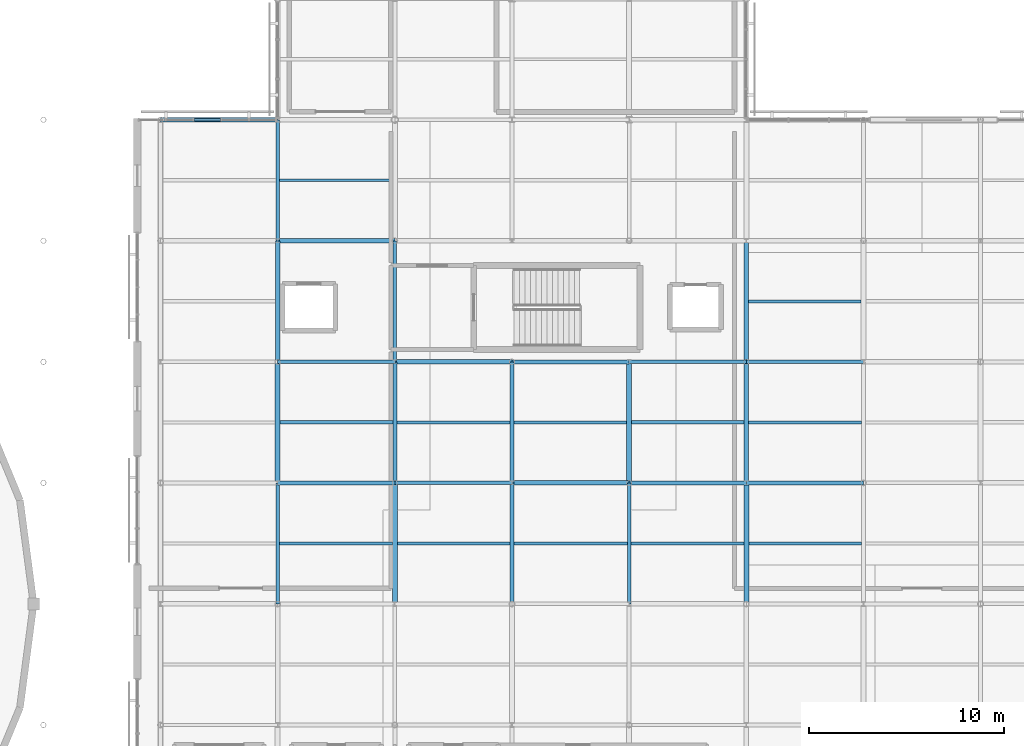
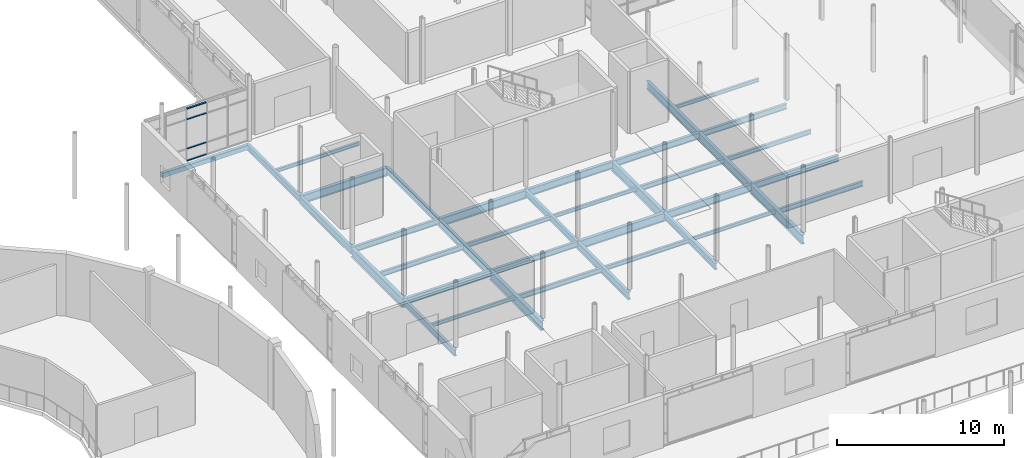
# One storey, part 29 of 66: 38 beams, 4 members, 1 element without a shape of its own.
"""IFC4 building model written with IfcOpenShell, lengths in metres."""

from ifc_helpers import new_model, si_unit, direction, frame, origin, origin_2d, place, context, subcontext, project, spatial, rectangle, hollow_rectangle, i_section, extrude, material, layer, layer_set, material_profile, profile_set, type_object, element, aggregate, save


model = new_model("IFC4")

# Units and contexts
model_context = context("Model", 3, precision=1e-05, world=origin(), true_north=direction((0.0, 1.0)))
body_context = subcontext(model_context, "Body", "Model", "MODEL_VIEW")
ifc_project = project(units=[si_unit("LENGTHUNIT", "METRE"), si_unit("AREAUNIT", "SQUARE_METRE"), si_unit("VOLUMEUNIT", "CUBIC_METRE"), si_unit("PLANEANGLEUNIT", "RADIAN"), si_unit("MASSUNIT", "GRAM", prefix="KILO")], contexts=[model_context])

# Site, building, storey
site_placement = place(None, origin())
site = spatial("IfcSite", under=ifc_project, at=site_placement, CompositionType="ELEMENT")
building_placement = place(site_placement, origin())
building = spatial("IfcBuilding", under=site, at=building_placement, Name="Mirzam Square Science Centre", CompositionType="ELEMENT")
storey_placement = place(building_placement, frame((0.0, 0.0, 15.60009765625)))
storey = spatial("IfcBuildingStorey", under=building, at=storey_placement, Name="L03", CompositionType="ELEMENT", Elevation=15.60009765625)

# Beams
ifc_material_1 = material(Name="Steel S355", Category="steel")
ifc_material_profile_1 = material_profile(ifc_material_1, i_section(OverallWidth=0.1787109375, OverallDepth=0.409423828125, WebThickness=0.0087890625, FlangeThickness=0.014404296875, FilletRadius=0.01025390625, at=origin_2d()), Name="406x178x67UB")
ifc_profile_set_1 = profile_set([ifc_material_profile_1], Name="Steel S355")
beam_type_1 = type_object("IfcBeamType", Name="BM-UB406", PredefinedType="BEAM", material=ifc_profile_set_1)
for number, where, z_axis, x_axis, name in (
    (1, (120.0, 68.199951171875, -0.454833984375), (1.0, 0.0, 0.0), (0.0, 1.0, 0.0), "L03 girder X21-12"),
    (2, (114.0, 74.39990234375, -0.454833984375), (1.0, 0.0, 0.0), (0.0, 1.0, 0.0), "L03 girder X20-13"),
    (3, (138.0, 74.39990234375, -0.454833984375), (1.0, 0.0, 0.0), (0.0, 1.0, 0.0), "L03 girder X24-13"),
):
    element("IfcBeam", number, at=place(storey_placement, frame(where, z_axis=z_axis, x_axis=x_axis)), inside=storey, type_object=beam_type_1, Name=name, PredefinedType="BEAM", context=body_context, shape_type="SweptSolid", body=[
        extrude(i_section(OverallWidth=0.1787109375, OverallDepth=0.409423828125, WebThickness=0.0087890625, FlangeThickness=0.014404296875, FilletRadius=0.01025390625, at=origin_2d()), origin(), (0.0, 0.0, 1.0), 6.0),
    ])
ifc_material_profile_2 = material_profile(ifc_material_1, i_section(OverallWidth=0.19140625, OverallDepth=0.4599609375, WebThickness=0.010009765625, FlangeThickness=0.01611328125, FilletRadius=0.01025390625, at=origin_2d()), Name="457x191x82UB")
ifc_profile_set_2 = profile_set([ifc_material_profile_2], Name="Steel S355")
beam_type_2 = type_object("IfcBeamType", Name="BM-UB457", PredefinedType="BEAM", material=ifc_profile_set_2)
for number, where, z_axis, x_axis, name in (
    (4, (114.0, 68.199951171875, -0.47998046875), (1.0, 0.0, 0.0), (0.0, 1.0, 0.0), "L03 girder X20-12"),
    (5, (138.0, 68.199951171875, -0.47998046875), (1.0, 0.0, 0.0), (0.0, 1.0, 0.0), "L03 girder X24-12"),
    (6, (132.0, 74.39990234375, -0.47998046875), (1.0, 0.0, 0.0), (0.0, 1.0, 0.0), "L03 girder X23-13"),
):
    element("IfcBeam", number, at=place(storey_placement, frame(where, z_axis=z_axis, x_axis=x_axis)), inside=storey, type_object=beam_type_2, Name=name, PredefinedType="BEAM", context=body_context, shape_type="SweptSolid", body=[
        extrude(i_section(OverallWidth=0.19140625, OverallDepth=0.4599609375, WebThickness=0.010009765625, FlangeThickness=0.01611328125, FilletRadius=0.01025390625, at=origin_2d()), origin(), (0.0, 0.0, 1.0), 6.0),
    ])
for number, where, z_axis, x_axis, name in (
    (7, (114.0, 62.0, -0.47998046875), (0.0, 1.0, 0.0), (-1.0, 0.0, 0.0), "L03 girder Y20-11"),
    (8, (114.0, 80.60009765625, -0.47998046875), (0.0, 1.0, 0.0), (-1.0, 0.0, 0.0), "L03 girder Y20-14"),
):
    element("IfcBeam", number, at=place(storey_placement, frame(where, z_axis=z_axis, x_axis=x_axis)), inside=storey, type_object=beam_type_2, Name=name, PredefinedType="BEAM", context=body_context, shape_type="SweptSolid", body=[
        extrude(i_section(OverallWidth=0.19140625, OverallDepth=0.4599609375, WebThickness=0.010009765625, FlangeThickness=0.01611328125, FilletRadius=0.01025390625, at=origin_2d()), origin(), (0.0, 0.0, 1.0), 6.199951171875),
    ])
beam_1_placement = place(storey_placement, frame((120.0, 74.39990234375, -0.47998046875), z_axis=(0.0, 1.0, 0.0), x_axis=(-1.0, 0.0, 0.0)))
element("IfcBeam", 9, at=beam_1_placement, inside=storey, type_object=beam_type_2, Name="L03 girder Y21-13", PredefinedType="BEAM", context=body_context, shape_type="SweptSolid", body=[
    extrude(i_section(OverallWidth=0.19140625, OverallDepth=0.4599609375, WebThickness=0.010009765625, FlangeThickness=0.01611328125, FilletRadius=0.01025390625, at=origin_2d()), origin(), (0.0, 0.0, 1.0), 6.2001953125),
])
for number, where, z_axis, x_axis, name in (
    (10, (126.0, 68.199951171875, -0.47998046875), (0.0, 1.0, 0.0), (-1.0, 0.0, 0.0), "L03 girder Y22-12"),
    (11, (132.0, 62.0, -0.47998046875), (0.0, 1.0, 0.0), (-1.0, 0.0, 0.0), "L03 girder Y23-11"),
):
    element("IfcBeam", number, at=place(storey_placement, frame(where, z_axis=z_axis, x_axis=x_axis)), inside=storey, type_object=beam_type_2, Name=name, PredefinedType="BEAM", context=body_context, shape_type="SweptSolid", body=[
        extrude(i_section(OverallWidth=0.19140625, OverallDepth=0.4599609375, WebThickness=0.010009765625, FlangeThickness=0.01611328125, FilletRadius=0.01025390625, at=origin_2d()), origin(), (0.0, 0.0, 1.0), 6.199951171875),
    ])
ifc_material_profile_3 = material_profile(ifc_material_1, i_section(OverallWidth=0.2099609375, OverallDepth=0.53662109375, WebThickness=0.0107421875, FlangeThickness=0.017333984375, FilletRadius=0.0126953125, at=origin_2d()), Name="533x210x101UB")
ifc_profile_set_3 = profile_set([ifc_material_profile_3], Name="Steel S355")
beam_type_3 = type_object("IfcBeamType", Name="BM-UB533", PredefinedType="BEAM", material=ifc_profile_set_3)
for number, where, z_axis, x_axis, name in (
    (12, (132.0, 68.199951171875, -0.5185546875), (1.0, 0.0, 0.0), (0.0, 1.0, 0.0), "L03 girder X23-12"),
    (13, (126.0, 74.39990234375, -0.5185546875), (1.0, 0.0, 0.0), (0.0, 1.0, 0.0), "L03 girder X22-13"),
):
    element("IfcBeam", number, at=place(storey_placement, frame(where, z_axis=z_axis, x_axis=x_axis)), inside=storey, type_object=beam_type_3, Name=name, PredefinedType="BEAM", context=body_context, shape_type="SweptSolid", body=[
        extrude(i_section(OverallWidth=0.2099609375, OverallDepth=0.53662109375, WebThickness=0.0107421875, FlangeThickness=0.017333984375, FilletRadius=0.0126953125, at=origin_2d()), origin(), (0.0, 0.0, 1.0), 6.0),
    ])
beam_2_placement = place(storey_placement, frame((114.0, 74.39990234375, -0.5185546875), z_axis=(0.0, 1.0, 0.0), x_axis=(-1.0, 0.0, 0.0)))
element("IfcBeam", 14, at=beam_2_placement, inside=storey, type_object=beam_type_3, Name="L03 girder Y20-13", PredefinedType="BEAM", context=body_context, shape_type="SweptSolid", body=[
    extrude(i_section(OverallWidth=0.2099609375, OverallDepth=0.53662109375, WebThickness=0.0107421875, FlangeThickness=0.017333984375, FilletRadius=0.0126953125, at=origin_2d()), origin(), (0.0, 0.0, 1.0), 6.2001953125),
])
for number, where, z_axis, x_axis, name in (
    (15, (120.0, 68.199951171875, -0.5185546875), (0.0, 1.0, 0.0), (-1.0, 0.0, 0.0), "L03 girder Y21-12"),
    (16, (126.0, 62.0, -0.5185546875), (0.0, 1.0, 0.0), (-1.0, 0.0, 0.0), "L03 girder Y22-11"),
):
    element("IfcBeam", number, at=place(storey_placement, frame(where, z_axis=z_axis, x_axis=x_axis)), inside=storey, type_object=beam_type_3, Name=name, PredefinedType="BEAM", context=body_context, shape_type="SweptSolid", body=[
        extrude(i_section(OverallWidth=0.2099609375, OverallDepth=0.53662109375, WebThickness=0.0107421875, FlangeThickness=0.017333984375, FilletRadius=0.0126953125, at=origin_2d()), origin(), (0.0, 0.0, 1.0), 6.199951171875),
    ])
ifc_material_profile_4 = material_profile(ifc_material_1, i_section(OverallWidth=0.22900390625, OverallDepth=0.6123046875, WebThickness=0.011962890625, FlangeThickness=0.01953125, FilletRadius=0.0126953125, at=origin_2d()), Name="610x229x125UB")
ifc_profile_set_4 = profile_set([ifc_material_profile_4], Name="Steel S355")
beam_type_4 = type_object("IfcBeamType", Name="BM-UB610", PredefinedType="BEAM", material=ifc_profile_set_4)
for number, where, z_axis, x_axis, name in (
    (17, (126.0, 68.199951171875, -0.55615234375), (1.0, 0.0, 0.0), (0.0, 1.0, 0.0), "L03 girder X22-12"),
    (18, (120.0, 74.39990234375, -0.55615234375), (1.0, 0.0, 0.0), (0.0, 1.0, 0.0), "L03 girder X21-13"),
    (19, (114.0, 80.60009765625, -0.55615234375), (1.0, 0.0, 0.0), (0.0, 1.0, 0.0), "L03 girder X20-14"),
):
    element("IfcBeam", number, at=place(storey_placement, frame(where, z_axis=z_axis, x_axis=x_axis)), inside=storey, type_object=beam_type_4, Name=name, PredefinedType="BEAM", context=body_context, shape_type="SweptSolid", body=[
        extrude(i_section(OverallWidth=0.22900390625, OverallDepth=0.6123046875, WebThickness=0.011962890625, FlangeThickness=0.01953125, FilletRadius=0.0126953125, at=origin_2d()), origin(), (0.0, 0.0, 1.0), 6.0),
    ])
beam_3_placement = place(storey_placement, frame((138.0, 68.199951171875, -0.55615234375), z_axis=(0.0, 1.0, 0.0), x_axis=(-1.0, 0.0, 0.0)))
element("IfcBeam", 20, at=beam_3_placement, inside=storey, type_object=beam_type_4, Name="L03 girder Y24-12", PredefinedType="BEAM", context=body_context, shape_type="SweptSolid", body=[
    extrude(i_section(OverallWidth=0.22900390625, OverallDepth=0.6123046875, WebThickness=0.011962890625, FlangeThickness=0.01953125, FilletRadius=0.0126953125, at=origin_2d()), origin(), (0.0, 0.0, 1.0), 6.199951171875),
])
beam_4_placement = place(storey_placement, frame((138.0, 74.39990234375, -0.55615234375), z_axis=(0.0, 1.0, 0.0), x_axis=(-1.0, 0.0, 0.0)))
element("IfcBeam", 21, at=beam_4_placement, inside=storey, type_object=beam_type_4, Name="L03 girder Y24-13", PredefinedType="BEAM", context=body_context, shape_type="SweptSolid", body=[
    extrude(i_section(OverallWidth=0.22900390625, OverallDepth=0.6123046875, WebThickness=0.011962890625, FlangeThickness=0.01953125, FilletRadius=0.0126953125, at=origin_2d()), origin(), (0.0, 0.0, 1.0), 6.2001953125),
])
ifc_material_profile_5 = material_profile(ifc_material_1, i_section(OverallWidth=0.25439453125, OverallDepth=0.6875, WebThickness=0.01318359375, FlangeThickness=0.02099609375, FilletRadius=0.01513671875, at=origin_2d()), Name="686x254x152UB")
ifc_profile_set_5 = profile_set([ifc_material_profile_5], Name="Steel S355")
beam_type_5 = type_object("IfcBeamType", Name="BM-UB686", PredefinedType="BEAM", material=ifc_profile_set_5)
for number, where, z_axis, x_axis, name in (
    (22, (114.0, 68.199951171875, -0.593994140625), (0.0, 1.0, 0.0), (-1.0, 0.0, 0.0), "L03 girder Y20-12"),
    (23, (120.0, 62.0, -0.593994140625), (0.0, 1.0, 0.0), (-1.0, 0.0, 0.0), "L03 girder Y21-11"),
    (24, (132.0, 68.199951171875, -0.593994140625), (0.0, 1.0, 0.0), (-1.0, 0.0, 0.0), "L03 girder Y23-12"),
    (25, (138.0, 62.0, -0.593994140625), (0.0, 1.0, 0.0), (-1.0, 0.0, 0.0), "L03 girder Y24-11"),
):
    element("IfcBeam", number, at=place(storey_placement, frame(where, z_axis=z_axis, x_axis=x_axis)), inside=storey, type_object=beam_type_5, Name=name, PredefinedType="BEAM", context=body_context, shape_type="SweptSolid", body=[
        extrude(i_section(OverallWidth=0.25439453125, OverallDepth=0.6875, WebThickness=0.01318359375, FlangeThickness=0.02099609375, FilletRadius=0.01513671875, at=origin_2d()), origin(), (0.0, 0.0, 1.0), 6.199951171875),
    ])

# Curtain wall, members
ifc_material_2 = material(Name="Anodised Aluminium and Low-E Solar Glass", Category="aluminium")
ifc_layer = layer(ifc_material_2, 0.159912109375)
ifc_layer_set = layer_set([ifc_layer], Name="CW-COURT-B")
curtain_wall_type = type_object("IfcCurtainWallType", Name="CW-COURT-B", PredefinedType="USERDEFINED", material=ifc_layer_set)
curtain_wall_placement = place(storey_placement, origin())
curtain_wall = element("IfcCurtainWall", 26, at=curtain_wall_placement, inside=storey, type_object=curtain_wall_type, Name="L03 unitised curtain wall 132", ObjectType="UNITISED CURTAIN WALL", PredefinedType="USERDEFINED")
ifc_material_3 = material(Name="Anodised Architectural Aluminium 6063-T6", Category="aluminium")
ifc_material_profile_6 = material_profile(ifc_material_3, rectangle(XDim=0.1201171875, YDim=0.06005859375, at=origin_2d()), Name="ALU-TRAN-120x60x4")
ifc_profile_set_6 = profile_set([ifc_material_profile_6], Name="Anodised Architectural Aluminium 6063-T6")
member_type = type_object("IfcMemberType", Name="CWT-120", PredefinedType="USERDEFINED", material=ifc_profile_set_6)
member_1_placement = place(storey_placement, frame((111.0791015625, 86.800048828125, 0.02978515625), z_axis=(-1.0, 0.0, 0.0), x_axis=(0.0, -1.0, 0.0)))
member_1 = element("IfcMember", 27, at=member_1_placement, type_object=member_type, Name="CW-04 transom 3.1", ObjectType="TRANSOM", PredefinedType="USERDEFINED", context=body_context, shape_type="SweptSolid", body=[
    extrude(rectangle(XDim=0.1201171875, YDim=0.06005859375, at=origin_2d()), origin(), (0.0, 0.0, 1.0), 1.358154296875),
])
member_2_placement = place(storey_placement, frame((111.0791015625, 86.800048828125, 0.89990234375), z_axis=(-1.0, 0.0, 0.0), x_axis=(0.0, -1.0, 0.0)))
member_2 = element("IfcMember", 28, at=member_2_placement, type_object=member_type, Name="CW-04 transom 3.2", ObjectType="TRANSOM", PredefinedType="USERDEFINED", context=body_context, shape_type="SweptSolid", body=[
    extrude(rectangle(XDim=0.1201171875, YDim=0.06005859375, at=origin_2d()), origin(), (0.0, 0.0, 1.0), 1.358154296875),
])
member_3_placement = place(storey_placement, frame((111.0791015625, 86.800048828125, 3.039794921875), z_axis=(-1.0, 0.0, 0.0), x_axis=(0.0, -1.0, 0.0)))
member_3 = element("IfcMember", 29, at=member_3_placement, type_object=member_type, Name="CW-04 transom 3.3", ObjectType="TRANSOM", PredefinedType="USERDEFINED", context=body_context, shape_type="SweptSolid", body=[
    extrude(rectangle(XDim=0.1201171875, YDim=0.06005859375, at=origin_2d()), origin(), (0.0, 0.0, 1.0), 1.358154296875),
])
member_4_placement = place(storey_placement, frame((111.0791015625, 86.800048828125, 3.809814453125), z_axis=(-1.0, 0.0, 0.0), x_axis=(0.0, -1.0, 0.0)))
member_4 = element("IfcMember", 30, at=member_4_placement, type_object=member_type, Name="CW-04 transom 3.4", ObjectType="TRANSOM", PredefinedType="USERDEFINED", context=body_context, shape_type="SweptSolid", body=[
    extrude(rectangle(XDim=0.1201171875, YDim=0.06005859375, at=origin_2d()), origin(), (0.0, 0.0, 1.0), 1.358154296875),
])
aggregate(curtain_wall, [member_1, member_2, member_3, member_4])

# Beams
ifc_material_profile_7 = material_profile(ifc_material_1, i_section(OverallWidth=0.146484375, OverallDepth=0.256103515625, WebThickness=0.00634765625, FlangeThickness=0.010986328125, FilletRadius=0.007568359375, at=origin_2d()), Name="254x146x37UB")
ifc_profile_set_7 = profile_set([ifc_material_profile_7], Name="Steel S355")
beam_type_6 = type_object("IfcBeamType", Name="JS-UB254", PredefinedType="JOIST", material=ifc_profile_set_7)
for number, where, z_axis, x_axis, name in (
    (31, (114.095703125, 65.10009765625, -0.378173828125), (1.0, 0.0, 0.0), (0.0, 1.0, 0.0), "L03 composite joist 20-11"),
    (32, (114.095703125, 83.699951171875, -0.378173828125), (1.0, 0.0, 0.0), (0.0, 1.0, 0.0), "L03 composite joist 20-14"),
    (33, (126.095703125, 71.300048828125, -0.378173828125), (1.0, 0.0, 0.0), (0.0, 1.0, 0.0), "L03 composite joist 22-12"),
    (34, (132.095703125, 65.10009765625, -0.378173828125), (1.0, 0.0, 0.0), (0.0, 1.0, 0.0), "L03 composite joist 23-11"),
):
    element("IfcBeam", number, at=place(storey_placement, frame(where, z_axis=z_axis, x_axis=x_axis)), inside=storey, type_object=beam_type_6, Name=name, PredefinedType="JOIST", context=body_context, shape_type="SweptSolid", body=[
        extrude(i_section(OverallWidth=0.146484375, OverallDepth=0.256103515625, WebThickness=0.00634765625, FlangeThickness=0.010986328125, FilletRadius=0.007568359375, at=origin_2d()), origin(), (0.0, 0.0, 1.0), 5.777099609375),
    ])
beam_5_placement = place(storey_placement, frame((138.114501953125, 77.5, -0.378173828125), z_axis=(1.0, 0.0, 0.0), x_axis=(0.0, 1.0, 0.0)))
element("IfcBeam", 35, at=beam_5_placement, inside=storey, type_object=beam_type_6, Name="L03 composite joist 24-13", PredefinedType="JOIST", context=body_context, shape_type="SweptSolid", body=[
    extrude(i_section(OverallWidth=0.146484375, OverallDepth=0.256103515625, WebThickness=0.00634765625, FlangeThickness=0.010986328125, FilletRadius=0.007568359375, at=origin_2d()), origin(), (0.0, 0.0, 1.0), 5.75830078125),
])
ifc_material_profile_8 = material_profile(ifc_material_1, i_section(OverallWidth=0.165771484375, OverallDepth=0.306640625, WebThickness=0.006591796875, FlangeThickness=0.01171875, FilletRadius=0.0087890625, at=origin_2d()), Name="305x165x46UB")
ifc_profile_set_8 = profile_set([ifc_material_profile_8], Name="Steel S355")
beam_type_7 = type_object("IfcBeamType", Name="JS-UB305", PredefinedType="JOIST", material=ifc_profile_set_8)
for number, where, z_axis, x_axis, name in (
    (36, (120.10498046875, 71.300048828125, -0.4033203125), (1.0, 0.0, 0.0), (0.0, 1.0, 0.0), "L03 composite joist 21-12"),
    (37, (126.10498046875, 65.10009765625, -0.4033203125), (1.0, 0.0, 0.0), (0.0, 1.0, 0.0), "L03 composite joist 22-11"),
):
    element("IfcBeam", number, at=place(storey_placement, frame(where, z_axis=z_axis, x_axis=x_axis)), inside=storey, type_object=beam_type_7, Name=name, PredefinedType="JOIST", context=body_context, shape_type="SweptSolid", body=[
        extrude(i_section(OverallWidth=0.165771484375, OverallDepth=0.306640625, WebThickness=0.006591796875, FlangeThickness=0.01171875, FilletRadius=0.0087890625, at=origin_2d()), origin(), (0.0, 0.0, 1.0), 5.79931640625),
    ])
beam_6_placement = place(storey_placement, frame((138.114501953125, 71.300048828125, -0.4033203125), z_axis=(1.0, 0.0, 0.0), x_axis=(0.0, 1.0, 0.0)))
element("IfcBeam", 38, at=beam_6_placement, inside=storey, type_object=beam_type_7, Name="L03 composite joist 24-12", PredefinedType="JOIST", context=body_context, shape_type="SweptSolid", body=[
    extrude(i_section(OverallWidth=0.165771484375, OverallDepth=0.306640625, WebThickness=0.006591796875, FlangeThickness=0.01171875, FilletRadius=0.0087890625, at=origin_2d()), origin(), (0.0, 0.0, 1.0), 5.789794921875),
])
ifc_material_profile_9 = material_profile(ifc_material_1, i_section(OverallWidth=0.172119140625, OverallDepth=0.35791015625, WebThickness=0.008056640625, FlangeThickness=0.012939453125, FilletRadius=0.01025390625, at=origin_2d()), Name="356x171x57UB")
ifc_profile_set_9 = profile_set([ifc_material_profile_9], Name="Steel S355")
beam_type_8 = type_object("IfcBeamType", Name="JS-UB356", PredefinedType="JOIST", material=ifc_profile_set_9)
for number, where, z_axis, x_axis, name in (
    (39, (114.127197265625, 71.300048828125, -0.42919921875), (1.0, 0.0, 0.0), (0.0, 1.0, 0.0), "L03 composite joist 20-12"),
    (40, (120.127197265625, 65.10009765625, -0.42919921875), (1.0, 0.0, 0.0), (0.0, 1.0, 0.0), "L03 composite joist 21-11"),
):
    element("IfcBeam", number, at=place(storey_placement, frame(where, z_axis=z_axis, x_axis=x_axis)), inside=storey, type_object=beam_type_8, Name=name, PredefinedType="JOIST", context=body_context, shape_type="SweptSolid", body=[
        extrude(i_section(OverallWidth=0.172119140625, OverallDepth=0.35791015625, WebThickness=0.008056640625, FlangeThickness=0.012939453125, FilletRadius=0.01025390625, at=origin_2d()), origin(), (0.0, 0.0, 1.0), 5.767822265625),
    ])
beam_7_placement = place(storey_placement, frame((132.127197265625, 71.300048828125, -0.42919921875), z_axis=(1.0, 0.0, 0.0), x_axis=(0.0, 1.0, 0.0)))
element("IfcBeam", 41, at=beam_7_placement, inside=storey, type_object=beam_type_8, Name="L03 composite joist 23-12", PredefinedType="JOIST", context=body_context, shape_type="SweptSolid", body=[
    extrude(i_section(OverallWidth=0.172119140625, OverallDepth=0.35791015625, WebThickness=0.008056640625, FlangeThickness=0.012939453125, FilletRadius=0.01025390625, at=origin_2d()), origin(), (0.0, 0.0, 1.0), 5.75830078125),
])
beam_8_placement = place(storey_placement, frame((138.127197265625, 65.10009765625, -0.42919921875), z_axis=(1.0, 0.0, 0.0), x_axis=(0.0, 1.0, 0.0)))
element("IfcBeam", 42, at=beam_8_placement, inside=storey, type_object=beam_type_8, Name="L03 composite joist 24-11", PredefinedType="JOIST", context=body_context, shape_type="SweptSolid", body=[
    extrude(i_section(OverallWidth=0.172119140625, OverallDepth=0.35791015625, WebThickness=0.008056640625, FlangeThickness=0.012939453125, FilletRadius=0.01025390625, at=origin_2d()), origin(), (0.0, 0.0, 1.0), 5.767822265625),
])
ifc_material_profile_10 = material_profile(ifc_material_1, hollow_rectangle(XDim=0.25, YDim=0.35009765625, WallThickness=0.012451171875, InnerFilletRadius=0.012451171875, OuterFilletRadius=0.02490234375, at=origin_2d()), Name="350x250x12.5RHS")
ifc_profile_set_10 = profile_set([ifc_material_profile_10], Name="Steel S355")
beam_type_9 = type_object("IfcBeamType", Name="SP-RHS350", PredefinedType="SPANDREL", material=ifc_profile_set_10)
beam_9_placement = place(storey_placement, frame((108.0, 86.800048828125, -0.425048828125), z_axis=(1.0, 0.0, 0.0), x_axis=(0.0, 1.0, 0.0)))
element("IfcBeam", 43, at=beam_9_placement, inside=storey, type_object=beam_type_9, Name="L03 girder X19-15", PredefinedType="SPANDREL", context=body_context, shape_type="SweptSolid", body=[
    extrude(hollow_rectangle(XDim=0.25, YDim=0.35009765625, WallThickness=0.012451171875, InnerFilletRadius=0.012451171875, OuterFilletRadius=0.02490234375, at=origin_2d()), origin(), (0.0, 0.0, 1.0), 6.0),
])

save(model, "model.ifc")
